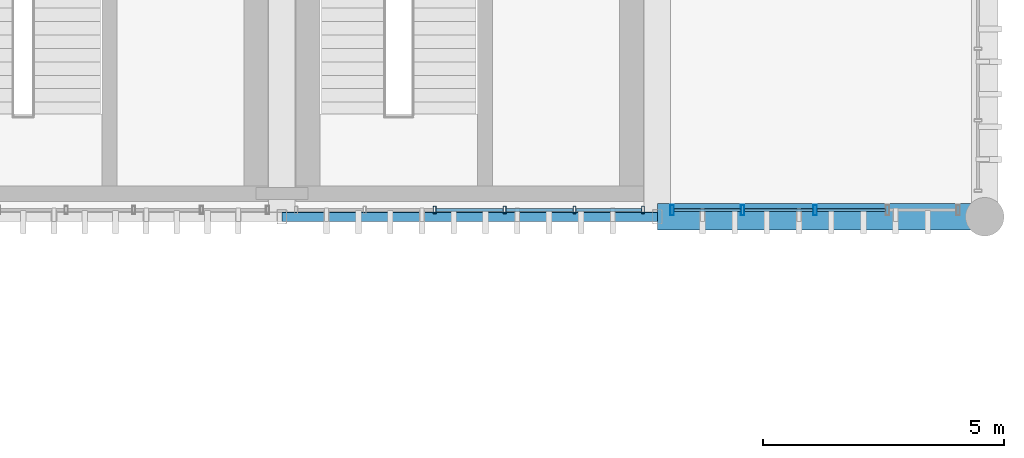
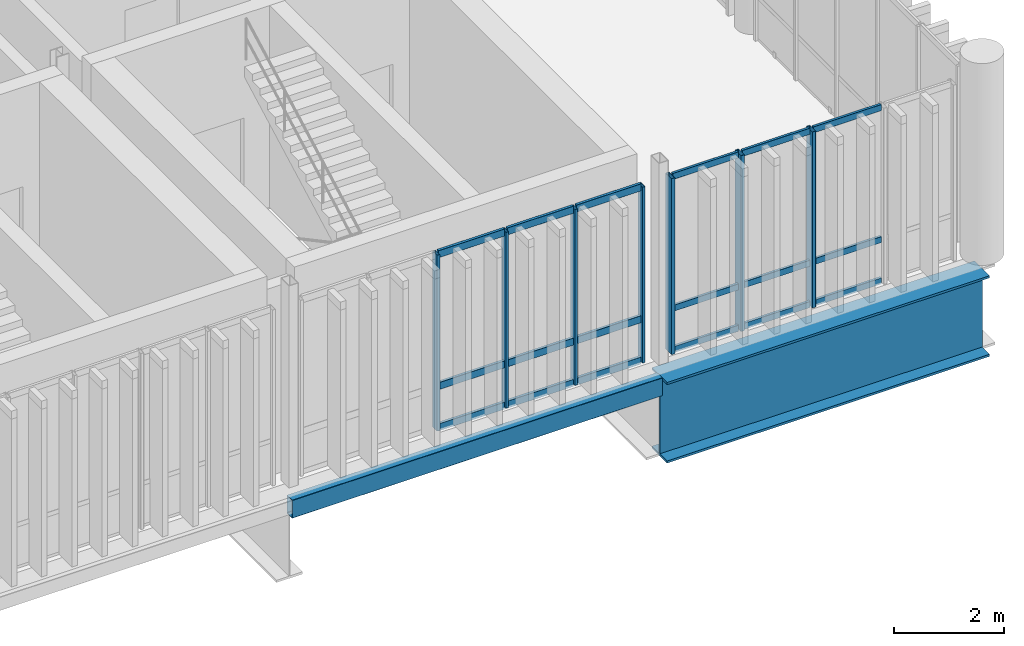
# One storey, part 25 of 53: 25 members, 2 beams, 2 elements without a shape of their own.
"""IFC4 building model written with IfcOpenShell, lengths in metres."""

from ifc_helpers import new_model, si_unit, direction, frame, origin_with_axes, origin_2d_with_axis, place, context, subcontext, project, spatial, hollow_rectangle, i_section, extrude, material, material_profile, profile_set, type_object, element, aggregate, save


model = new_model("IFC4")

# Units and contexts
model_context = context("Model", 3, precision=1e-05, world=origin_with_axes(), true_north=direction((0.0, 1.0)))
body_context = subcontext(model_context, "Body", "Model", "MODEL_VIEW")
ifc_project = project(units=[si_unit("LENGTHUNIT", "METRE"), si_unit("AREAUNIT", "SQUARE_METRE"), si_unit("VOLUMEUNIT", "CUBIC_METRE"), si_unit("PLANEANGLEUNIT", "RADIAN"), si_unit("MASSUNIT", "GRAM", prefix="KILO"), si_unit("THERMODYNAMICTEMPERATUREUNIT", "KELVIN")], contexts=[model_context])

# Site, building, storey
site_placement = place(None, origin_with_axes())
site = spatial("IfcSite", under=ifc_project, at=site_placement, CompositionType="ELEMENT")
building_placement = place(site_placement, origin_with_axes())
building = spatial("IfcBuilding", under=site, at=building_placement, Name="Montbau Bow Law Courts", CompositionType="ELEMENT")
storey_placement = place(building_placement, frame((0.0, 0.0, 39.0), z_axis=(0.0, 0.0, 1.0), x_axis=(1.0, 0.0, 0.0)))
storey = spatial("IfcBuildingStorey", under=building, at=storey_placement, Name="L08", CompositionType="ELEMENT", Elevation=39.0)

# Beams
ifc_material_1 = material(Name="Steel CSA G40.21 Grade 350WT (350 MPa)", Category="steel")
ifc_material_profile_1 = material_profile(ifc_material_1, hollow_rectangle(XDim=0.203, YDim=0.406, WallThickness=0.0127, InnerFilletRadius=0.0254, OuterFilletRadius=0.0127, at=origin_2d_with_axis()), Name="HSS406X203X13", Category="Main", Priority=0)
ifc_profile_set_1 = profile_set([ifc_material_profile_1], Name="Steel CSA G40.21 Grade 350WT (350 MPa)")
beam_type_1 = type_object("IfcBeamType", Name="B-SPN-01", PredefinedType="SPANDREL", material=ifc_profile_set_1)
beam_1_placement = place(None, frame((154.8, 86.4, 38.457), z_axis=(1.0, 0.0, 0.0), x_axis=(0.0, 1.0, 0.0)))
element("IfcBeam", 1, at=beam_1_placement, inside=storey, type_object=beam_type_1, Name="SPN-L08-S1379:bm2_1382", PredefinedType="SPANDREL", context=body_context, shape_type="SweptSolid", body=[
    extrude(hollow_rectangle(XDim=0.203, YDim=0.406, WallThickness=0.0127, InnerFilletRadius=0.0254, OuterFilletRadius=0.0127, at=origin_2d_with_axis()), origin_with_axes(), (0.0, 0.0, 1.0), 7.8),
])
ifc_material_profile_2 = material_profile(ifc_material_1, i_section(OverallWidth=0.55, OverallDepth=1.8, WebThickness=0.022, FlangeThickness=0.05, at=origin_2d_with_axis()), Name="WWF1800X550", Category="Main", Priority=0)
ifc_profile_set_2 = profile_set([ifc_material_profile_2], Name="Steel CSA G40.21 Grade 350WT (350 MPa)")
beam_type_2 = type_object("IfcBeamType", Name="B-TRG-01", PredefinedType="USERDEFINED", material=ifc_profile_set_2)
beam_2_placement = place(None, frame((162.6, 86.4, 37.76), z_axis=(1.0, 0.0, 0.0), x_axis=(0.0, 1.0, 0.0)))
element("IfcBeam", 2, at=beam_2_placement, inside=storey, type_object=beam_type_2, Name="TRG-L08-S0111:bm2_0114", ObjectType="GIRDER", PredefinedType="USERDEFINED", context=body_context, shape_type="SweptSolid", body=[
    extrude(i_section(OverallWidth=0.55, OverallDepth=1.8, WebThickness=0.022, FlangeThickness=0.05, at=origin_2d_with_axis()), origin_with_axes(), (0.0, 0.0, 1.0), 6.8),
])

# Curtain wall, members
ifc_material_2 = material(Name="Thermally Broken Extruded Aluminium AA 6063-T6", Category="aluminium")
curtain_wall_type = type_object("IfcCurtainWallType", Name="CW-CRM-03", PredefinedType="NOTDEFINED", material=ifc_material_2)
curtain_wall_1_placement = place(None, frame((162.868, 86.54, 39.0), z_axis=(0.0, 0.0, 1.0), x_axis=(1.0, 0.0, 0.0)))
curtain_wall_1 = element("IfcCurtainWall", 3, at=curtain_wall_1_placement, inside=storey, type_object=curtain_wall_type, Name="CW-L08-375:cw_0375", PredefinedType="NOTDEFINED")
ifc_material_profile_3 = material_profile(ifc_material_2, hollow_rectangle(XDim=0.075, YDim=0.22, WallThickness=0.005, InnerFilletRadius=0.01, OuterFilletRadius=0.005, at=origin_2d_with_axis()), Name="CWM-220X75", Category="Main", Priority=0)
ifc_profile_set_3 = profile_set([ifc_material_profile_3], Name="Thermally Broken Extruded Aluminium AA 6063-T6")
member_type_1 = type_object("IfcMemberType", Name="M-MUL-01", PredefinedType="MULLION", material=ifc_profile_set_3)
member_1_placement = place(None, frame((162.905, 86.54, 39.0), z_axis=(0.0, 0.0, 1.0), x_axis=(1.0, 0.0, 0.0)))
member_1 = element("IfcMember", 4, at=member_1_placement, type_object=member_type_1, Name="CW-L08-375-M01:cw_0375_M01", PredefinedType="MULLION", context=body_context, shape_type="SweptSolid", body=[
    extrude(hollow_rectangle(XDim=0.075, YDim=0.22, WallThickness=0.005, InnerFilletRadius=0.01, OuterFilletRadius=0.005, at=origin_2d_with_axis()), origin_with_axes(), (0.0, 0.0, 1.0), 3.92),
])
member_2_placement = place(None, frame((164.372, 86.54, 39.0), z_axis=(0.0, 0.0, 1.0), x_axis=(1.0, 0.0, 0.0)))
member_2 = element("IfcMember", 5, at=member_2_placement, type_object=member_type_1, Name="CW-L08-375-M02:cw_0375_M02", PredefinedType="MULLION", context=body_context, shape_type="SweptSolid", body=[
    extrude(hollow_rectangle(XDim=0.075, YDim=0.22, WallThickness=0.005, InnerFilletRadius=0.01, OuterFilletRadius=0.005, at=origin_2d_with_axis()), origin_with_axes(), (0.0, 0.0, 1.0), 3.92),
])
member_3_placement = place(None, frame((165.876, 86.54, 39.0), z_axis=(0.0, 0.0, 1.0), x_axis=(1.0, 0.0, 0.0)))
member_3 = element("IfcMember", 6, at=member_3_placement, type_object=member_type_1, Name="CW-L08-375-M03:cw_0375_M03", PredefinedType="MULLION", context=body_context, shape_type="SweptSolid", body=[
    extrude(hollow_rectangle(XDim=0.075, YDim=0.22, WallThickness=0.005, InnerFilletRadius=0.01, OuterFilletRadius=0.005, at=origin_2d_with_axis()), origin_with_axes(), (0.0, 0.0, 1.0), 3.92),
])

curtain_wall_2_placement = place(None, frame((155.068, 86.54, 39.0), z_axis=(0.0, 0.0, 1.0), x_axis=(1.0, 0.0, 0.0)))
curtain_wall_2 = element("IfcCurtainWall", 7, at=curtain_wall_2_placement, inside=storey, type_object=curtain_wall_type, Name="CW-L08-374:cw_0374", PredefinedType="NOTDEFINED")
ifc_material_profile_4 = material_profile(ifc_material_2, hollow_rectangle(XDim=0.06, YDim=0.16, WallThickness=0.004, InnerFilletRadius=0.008, OuterFilletRadius=0.004, at=origin_2d_with_axis()), Name="CWM-160X60", Category="Main", Priority=0)
ifc_profile_set_4 = profile_set([ifc_material_profile_4], Name="Thermally Broken Extruded Aluminium AA 6063-T6")
member_type_2 = type_object("IfcMemberType", Name="M-MUL-03", PredefinedType="MULLION", material=ifc_profile_set_4)
member_4_placement = place(None, frame((157.974, 86.54, 39.0), z_axis=(0.0, 0.0, 1.0), x_axis=(1.0, 0.0, 0.0)))
member_4 = element("IfcMember", 8, at=member_4_placement, type_object=member_type_2, Name="CW-L08-374-M03:cw_0374_M03", PredefinedType="MULLION", context=body_context, shape_type="SweptSolid", body=[
    extrude(hollow_rectangle(XDim=0.06, YDim=0.16, WallThickness=0.004, InnerFilletRadius=0.008, OuterFilletRadius=0.004, at=origin_2d_with_axis()), origin_with_axes(), (0.0, 0.0, 1.0), 3.92),
])
member_5_placement = place(None, frame((159.426, 86.54, 39.0), z_axis=(0.0, 0.0, 1.0), x_axis=(1.0, 0.0, 0.0)))
member_5 = element("IfcMember", 9, at=member_5_placement, type_object=member_type_2, Name="CW-L08-374-M04:cw_0374_M04", PredefinedType="MULLION", context=body_context, shape_type="SweptSolid", body=[
    extrude(hollow_rectangle(XDim=0.06, YDim=0.16, WallThickness=0.004, InnerFilletRadius=0.008, OuterFilletRadius=0.004, at=origin_2d_with_axis()), origin_with_axes(), (0.0, 0.0, 1.0), 3.92),
])
member_6_placement = place(None, frame((160.879, 86.54, 39.0), z_axis=(0.0, 0.0, 1.0), x_axis=(1.0, 0.0, 0.0)))
member_6 = element("IfcMember", 10, at=member_6_placement, type_object=member_type_2, Name="CW-L08-374-M05:cw_0374_M05", PredefinedType="MULLION", context=body_context, shape_type="SweptSolid", body=[
    extrude(hollow_rectangle(XDim=0.06, YDim=0.16, WallThickness=0.004, InnerFilletRadius=0.008, OuterFilletRadius=0.004, at=origin_2d_with_axis()), origin_with_axes(), (0.0, 0.0, 1.0), 3.92),
])
member_7_placement = place(None, frame((162.302, 86.54, 39.0), z_axis=(0.0, 0.0, 1.0), x_axis=(1.0, 0.0, 0.0)))
member_7 = element("IfcMember", 11, at=member_7_placement, type_object=member_type_2, Name="CW-L08-374-M06:cw_0374_M06", PredefinedType="MULLION", context=body_context, shape_type="SweptSolid", body=[
    extrude(hollow_rectangle(XDim=0.06, YDim=0.16, WallThickness=0.004, InnerFilletRadius=0.008, OuterFilletRadius=0.004, at=origin_2d_with_axis()), origin_with_axes(), (0.0, 0.0, 1.0), 3.92),
])
ifc_material_profile_5 = material_profile(ifc_material_2, hollow_rectangle(XDim=0.06, YDim=0.16, WallThickness=0.004, InnerFilletRadius=0.008, OuterFilletRadius=0.004, at=origin_2d_with_axis()), Name="CWT-160X60", Category="Main", Priority=0)
ifc_profile_set_5 = profile_set([ifc_material_profile_5], Name="Thermally Broken Extruded Aluminium AA 6063-T6")
member_type_3 = type_object("IfcMemberType", Name="M-TRN-01", PredefinedType="USERDEFINED", material=ifc_profile_set_5)
member_8_placement = place(None, frame((158.006, 86.54, 39.03), z_axis=(1.0, 0.0, 0.0), x_axis=(0.0, 1.0, 0.0)))
member_8 = element("IfcMember", 12, at=member_8_placement, type_object=member_type_3, Name="CW-L08-374-T03-1:cw_0374_T03_1", ObjectType="TRANSOM", PredefinedType="USERDEFINED", context=body_context, shape_type="SweptSolid", body=[
    extrude(hollow_rectangle(XDim=0.06, YDim=0.16, WallThickness=0.004, InnerFilletRadius=0.008, OuterFilletRadius=0.004, at=origin_2d_with_axis()), origin_with_axes(), (0.0, 0.0, 1.0), 1.388),
])
member_9_placement = place(None, frame((158.006, 86.54, 39.95), z_axis=(1.0, 0.0, 0.0), x_axis=(0.0, 1.0, 0.0)))
member_9 = element("IfcMember", 13, at=member_9_placement, type_object=member_type_3, Name="CW-L08-374-T03-2:cw_0374_T03_2", ObjectType="TRANSOM", PredefinedType="USERDEFINED", context=body_context, shape_type="SweptSolid", body=[
    extrude(hollow_rectangle(XDim=0.06, YDim=0.16, WallThickness=0.004, InnerFilletRadius=0.008, OuterFilletRadius=0.004, at=origin_2d_with_axis()), origin_with_axes(), (0.0, 0.0, 1.0), 1.388),
])
member_10_placement = place(None, frame((158.006, 86.54, 42.89), z_axis=(1.0, 0.0, 0.0), x_axis=(0.0, 1.0, 0.0)))
member_10 = element("IfcMember", 14, at=member_10_placement, type_object=member_type_3, Name="CW-L08-374-T03-3:cw_0374_T03_3", ObjectType="TRANSOM", PredefinedType="USERDEFINED", context=body_context, shape_type="SweptSolid", body=[
    extrude(hollow_rectangle(XDim=0.06, YDim=0.16, WallThickness=0.004, InnerFilletRadius=0.008, OuterFilletRadius=0.004, at=origin_2d_with_axis()), origin_with_axes(), (0.0, 0.0, 1.0), 1.388),
])
member_11_placement = place(None, frame((159.458, 86.54, 39.03), z_axis=(1.0, 0.0, 0.0), x_axis=(0.0, 1.0, 0.0)))
member_11 = element("IfcMember", 15, at=member_11_placement, type_object=member_type_3, Name="CW-L08-374-T04-1:cw_0374_T04_1", ObjectType="TRANSOM", PredefinedType="USERDEFINED", context=body_context, shape_type="SweptSolid", body=[
    extrude(hollow_rectangle(XDim=0.06, YDim=0.16, WallThickness=0.004, InnerFilletRadius=0.008, OuterFilletRadius=0.004, at=origin_2d_with_axis()), origin_with_axes(), (0.0, 0.0, 1.0), 1.389),
])
member_12_placement = place(None, frame((159.458, 86.54, 39.95), z_axis=(1.0, 0.0, 0.0), x_axis=(0.0, 1.0, 0.0)))
member_12 = element("IfcMember", 16, at=member_12_placement, type_object=member_type_3, Name="CW-L08-374-T04-2:cw_0374_T04_2", ObjectType="TRANSOM", PredefinedType="USERDEFINED", context=body_context, shape_type="SweptSolid", body=[
    extrude(hollow_rectangle(XDim=0.06, YDim=0.16, WallThickness=0.004, InnerFilletRadius=0.008, OuterFilletRadius=0.004, at=origin_2d_with_axis()), origin_with_axes(), (0.0, 0.0, 1.0), 1.389),
])
member_13_placement = place(None, frame((159.458, 86.54, 42.89), z_axis=(1.0, 0.0, 0.0), x_axis=(0.0, 1.0, 0.0)))
member_13 = element("IfcMember", 17, at=member_13_placement, type_object=member_type_3, Name="CW-L08-374-T04-3:cw_0374_T04_3", ObjectType="TRANSOM", PredefinedType="USERDEFINED", context=body_context, shape_type="SweptSolid", body=[
    extrude(hollow_rectangle(XDim=0.06, YDim=0.16, WallThickness=0.004, InnerFilletRadius=0.008, OuterFilletRadius=0.004, at=origin_2d_with_axis()), origin_with_axes(), (0.0, 0.0, 1.0), 1.389),
])
member_14_placement = place(None, frame((160.911, 86.54, 39.03), z_axis=(1.0, 0.0, 0.0), x_axis=(0.0, 1.0, 0.0)))
member_14 = element("IfcMember", 18, at=member_14_placement, type_object=member_type_3, Name="CW-L08-374-T05-1:cw_0374_T05_1", ObjectType="TRANSOM", PredefinedType="USERDEFINED", context=body_context, shape_type="SweptSolid", body=[
    extrude(hollow_rectangle(XDim=0.06, YDim=0.16, WallThickness=0.004, InnerFilletRadius=0.008, OuterFilletRadius=0.004, at=origin_2d_with_axis()), origin_with_axes(), (0.0, 0.0, 1.0), 1.359),
])
member_15_placement = place(None, frame((160.911, 86.54, 39.95), z_axis=(1.0, 0.0, 0.0), x_axis=(0.0, 1.0, 0.0)))
member_15 = element("IfcMember", 19, at=member_15_placement, type_object=member_type_3, Name="CW-L08-374-T05-2:cw_0374_T05_2", ObjectType="TRANSOM", PredefinedType="USERDEFINED", context=body_context, shape_type="SweptSolid", body=[
    extrude(hollow_rectangle(XDim=0.06, YDim=0.16, WallThickness=0.004, InnerFilletRadius=0.008, OuterFilletRadius=0.004, at=origin_2d_with_axis()), origin_with_axes(), (0.0, 0.0, 1.0), 1.359),
])
member_16_placement = place(None, frame((160.911, 86.54, 42.89), z_axis=(1.0, 0.0, 0.0), x_axis=(0.0, 1.0, 0.0)))
member_16 = element("IfcMember", 20, at=member_16_placement, type_object=member_type_3, Name="CW-L08-374-T05-3:cw_0374_T05_3", ObjectType="TRANSOM", PredefinedType="USERDEFINED", context=body_context, shape_type="SweptSolid", body=[
    extrude(hollow_rectangle(XDim=0.06, YDim=0.16, WallThickness=0.004, InnerFilletRadius=0.008, OuterFilletRadius=0.004, at=origin_2d_with_axis()), origin_with_axes(), (0.0, 0.0, 1.0), 1.359),
])
aggregate(curtain_wall_2, [member_4, member_5, member_6, member_7, member_8, member_9, member_10, member_11, member_12, member_13, member_14, member_15, member_16])

# Member
ifc_material_profile_6 = material_profile(ifc_material_2, hollow_rectangle(XDim=0.055, YDim=0.14, WallThickness=0.004, InnerFilletRadius=0.008, OuterFilletRadius=0.004, at=origin_2d_with_axis()), Name="CWT-140X55", Category="Main", Priority=0)
ifc_profile_set_6 = profile_set([ifc_material_profile_6], Name="Thermally Broken Extruded Aluminium AA 6063-T6")
member_type_4 = type_object("IfcMemberType", Name="M-TRN-02", PredefinedType="USERDEFINED", material=ifc_profile_set_6)
member_17_placement = place(None, frame((162.944, 86.54, 39.028), z_axis=(1.0, 0.0, 0.0), x_axis=(0.0, 1.0, 0.0)))
member_17 = element("IfcMember", 21, at=member_17_placement, type_object=member_type_4, Name="CW-L08-375-T01-1:cw_0375_T01_1", ObjectType="TRANSOM", PredefinedType="USERDEFINED", context=body_context, shape_type="SweptSolid", body=[
    extrude(hollow_rectangle(XDim=0.055, YDim=0.14, WallThickness=0.004, InnerFilletRadius=0.008, OuterFilletRadius=0.004, at=origin_2d_with_axis()), origin_with_axes(), (0.0, 0.0, 1.0), 1.388),
])

member_18_placement = place(None, frame((162.944, 86.54, 39.95), z_axis=(1.0, 0.0, 0.0), x_axis=(0.0, 1.0, 0.0)))
member_18 = element("IfcMember", 22, at=member_18_placement, type_object=member_type_4, Name="CW-L08-375-T01-2:cw_0375_T01_2", ObjectType="TRANSOM", PredefinedType="USERDEFINED", context=body_context, shape_type="SweptSolid", body=[
    extrude(hollow_rectangle(XDim=0.055, YDim=0.14, WallThickness=0.004, InnerFilletRadius=0.008, OuterFilletRadius=0.004, at=origin_2d_with_axis()), origin_with_axes(), (0.0, 0.0, 1.0), 1.388),
])

member_19_placement = place(None, frame((162.944, 86.54, 42.892), z_axis=(1.0, 0.0, 0.0), x_axis=(0.0, 1.0, 0.0)))
member_19 = element("IfcMember", 23, at=member_19_placement, type_object=member_type_4, Name="CW-L08-375-T01-3:cw_0375_T01_3", ObjectType="TRANSOM", PredefinedType="USERDEFINED", context=body_context, shape_type="SweptSolid", body=[
    extrude(hollow_rectangle(XDim=0.055, YDim=0.14, WallThickness=0.004, InnerFilletRadius=0.008, OuterFilletRadius=0.004, at=origin_2d_with_axis()), origin_with_axes(), (0.0, 0.0, 1.0), 1.388),
])

member_20_placement = place(None, frame((164.412, 86.54, 39.028), z_axis=(1.0, 0.0, 0.0), x_axis=(0.0, 1.0, 0.0)))
member_20 = element("IfcMember", 24, at=member_20_placement, type_object=member_type_4, Name="CW-L08-375-T02-1:cw_0375_T02_1", ObjectType="TRANSOM", PredefinedType="USERDEFINED", context=body_context, shape_type="SweptSolid", body=[
    extrude(hollow_rectangle(XDim=0.055, YDim=0.14, WallThickness=0.004, InnerFilletRadius=0.008, OuterFilletRadius=0.004, at=origin_2d_with_axis()), origin_with_axes(), (0.0, 0.0, 1.0), 1.425),
])

member_21_placement = place(None, frame((164.412, 86.54, 39.95), z_axis=(1.0, 0.0, 0.0), x_axis=(0.0, 1.0, 0.0)))
member_21 = element("IfcMember", 25, at=member_21_placement, type_object=member_type_4, Name="CW-L08-375-T02-2:cw_0375_T02_2", ObjectType="TRANSOM", PredefinedType="USERDEFINED", context=body_context, shape_type="SweptSolid", body=[
    extrude(hollow_rectangle(XDim=0.055, YDim=0.14, WallThickness=0.004, InnerFilletRadius=0.008, OuterFilletRadius=0.004, at=origin_2d_with_axis()), origin_with_axes(), (0.0, 0.0, 1.0), 1.425),
])

member_22_placement = place(None, frame((164.412, 86.54, 42.892), z_axis=(1.0, 0.0, 0.0), x_axis=(0.0, 1.0, 0.0)))
member_22 = element("IfcMember", 26, at=member_22_placement, type_object=member_type_4, Name="CW-L08-375-T02-3:cw_0375_T02_3", ObjectType="TRANSOM", PredefinedType="USERDEFINED", context=body_context, shape_type="SweptSolid", body=[
    extrude(hollow_rectangle(XDim=0.055, YDim=0.14, WallThickness=0.004, InnerFilletRadius=0.008, OuterFilletRadius=0.004, at=origin_2d_with_axis()), origin_with_axes(), (0.0, 0.0, 1.0), 1.425),
])

member_23_placement = place(None, frame((165.915, 86.54, 39.028), z_axis=(1.0, 0.0, 0.0), x_axis=(0.0, 1.0, 0.0)))
member_23 = element("IfcMember", 27, at=member_23_placement, type_object=member_type_4, Name="CW-L08-375-T03-1:cw_0375_T03_1", ObjectType="TRANSOM", PredefinedType="USERDEFINED", context=body_context, shape_type="SweptSolid", body=[
    extrude(hollow_rectangle(XDim=0.055, YDim=0.14, WallThickness=0.004, InnerFilletRadius=0.008, OuterFilletRadius=0.004, at=origin_2d_with_axis()), origin_with_axes(), (0.0, 0.0, 1.0), 1.427),
])

member_24_placement = place(None, frame((165.915, 86.54, 39.95), z_axis=(1.0, 0.0, 0.0), x_axis=(0.0, 1.0, 0.0)))
member_24 = element("IfcMember", 28, at=member_24_placement, type_object=member_type_4, Name="CW-L08-375-T03-2:cw_0375_T03_2", ObjectType="TRANSOM", PredefinedType="USERDEFINED", context=body_context, shape_type="SweptSolid", body=[
    extrude(hollow_rectangle(XDim=0.055, YDim=0.14, WallThickness=0.004, InnerFilletRadius=0.008, OuterFilletRadius=0.004, at=origin_2d_with_axis()), origin_with_axes(), (0.0, 0.0, 1.0), 1.427),
])

member_25_placement = place(None, frame((165.915, 86.54, 42.892), z_axis=(1.0, 0.0, 0.0), x_axis=(0.0, 1.0, 0.0)))
member_25 = element("IfcMember", 29, at=member_25_placement, type_object=member_type_4, Name="CW-L08-375-T03-3:cw_0375_T03_3", ObjectType="TRANSOM", PredefinedType="USERDEFINED", context=body_context, shape_type="SweptSolid", body=[
    extrude(hollow_rectangle(XDim=0.055, YDim=0.14, WallThickness=0.004, InnerFilletRadius=0.008, OuterFilletRadius=0.004, at=origin_2d_with_axis()), origin_with_axes(), (0.0, 0.0, 1.0), 1.427),
])

aggregate(curtain_wall_1, [member_1, member_2, member_3, member_17, member_18, member_19, member_20, member_21, member_22, member_23, member_24, member_25])

save(model, "model.ifc")
